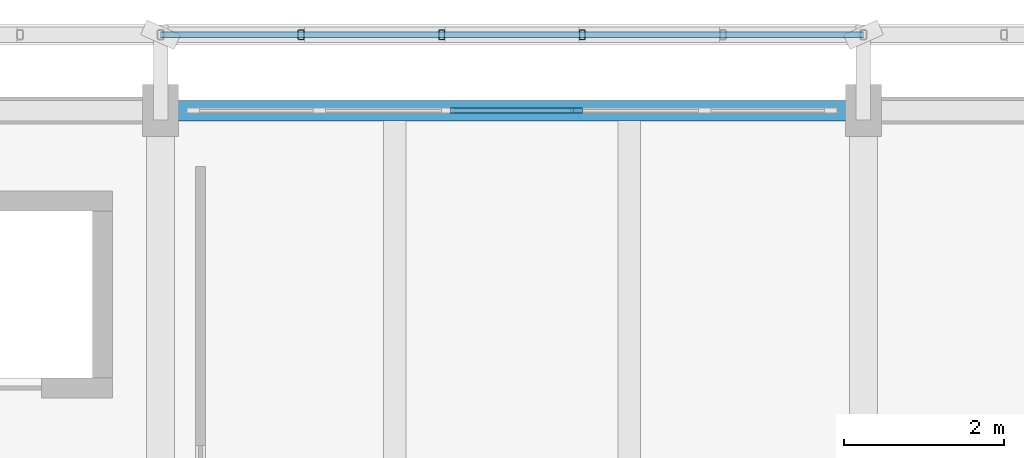
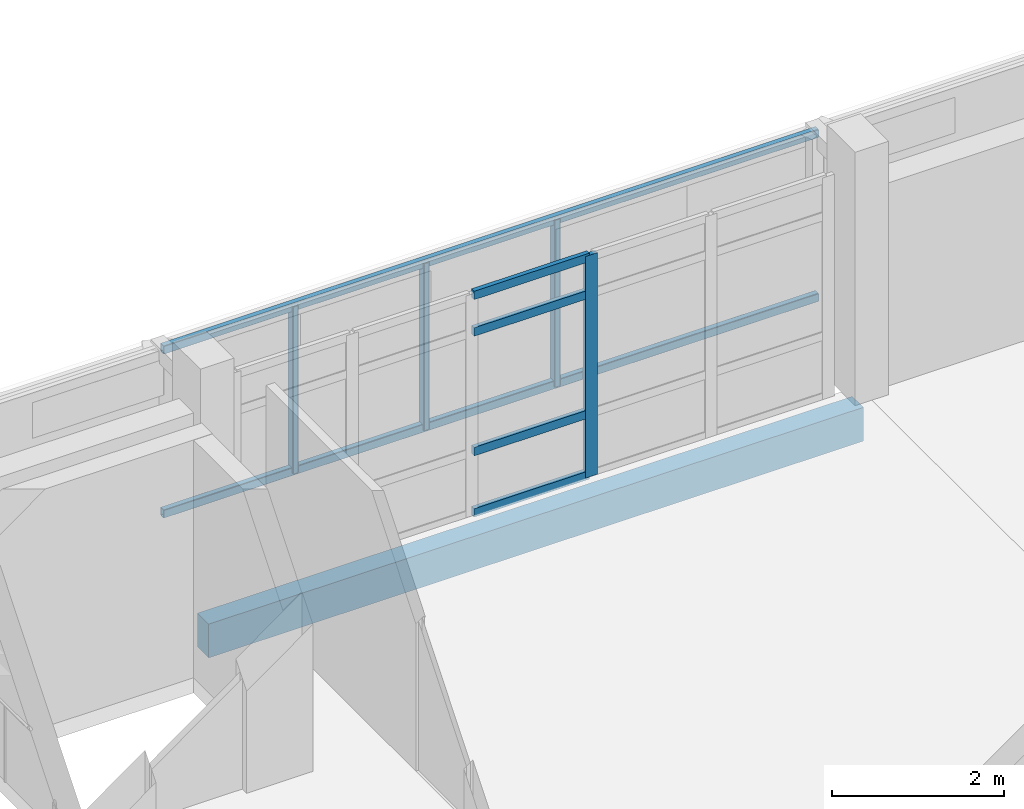
# One storey, part 12 of 30: 10 members, 1 beam, 1 element without a shape of its own.
"""IFC4 building model written with IfcOpenShell, lengths in metres."""

from ifc_helpers import new_model, si_unit, direction, frame, origin, origin_2d, place, context, subcontext, project, spatial, rectangle, hollow_rectangle, extrude, material, material_profile, profile_set, type_object, element, aggregate, save


model = new_model("IFC4")

# Units and contexts
model_context = context("Model", 3, precision=1e-05, world=origin(), true_north=direction((0.0, 1.0)))
body_context = subcontext(model_context, "Body", "Model", "MODEL_VIEW")
ifc_project = project(units=[si_unit("LENGTHUNIT", "METRE"), si_unit("AREAUNIT", "SQUARE_METRE"), si_unit("VOLUMEUNIT", "CUBIC_METRE"), si_unit("PLANEANGLEUNIT", "RADIAN"), si_unit("MASSUNIT", "GRAM", prefix="KILO")], contexts=[model_context])

# Site, building, storey
site_placement = place(None, origin())
site = spatial("IfcSite", under=ifc_project, at=site_placement, CompositionType="ELEMENT")
building_placement = place(site_placement, origin())
building = spatial("IfcBuilding", under=site, at=building_placement, Name="Cinderway Yard Community Centre", CompositionType="ELEMENT")
storey_placement = place(building_placement, frame((0.0, 0.0, 16.5)))
storey = spatial("IfcBuildingStorey", under=building, at=storey_placement, Name="L04", CompositionType="ELEMENT", Elevation=16.5)

# Curtain wall, members
ifc_material_1 = material(Name="Aluminium 6063-T6", Category="aluminium")
curtain_wall_type = type_object("IfcCurtainWallType", Name="ENV-CW-TYPE-33", PredefinedType="USERDEFINED", material=ifc_material_1)
curtain_wall_placement = place(storey_placement, origin())
curtain_wall = element("IfcCurtainWall", 1, at=curtain_wall_placement, inside=storey, type_object=curtain_wall_type, Name="V4 Street Curtain Wall ENV-CW-L04-ST-0181", ObjectType="GLAZED CURTAIN WALL", PredefinedType="USERDEFINED")
ifc_material_profile_1 = material_profile(ifc_material_1, rectangle(XDim=0.06005859375, YDim=0.159912109375, at=origin_2d()), Name="Aluminium 6063-T6")
ifc_profile_set_1 = profile_set([ifc_material_profile_1], Name="Aluminium 6063-T6")
member_type_1 = type_object("IfcMemberType", Name="ENV-CW-MULL-150", PredefinedType="MULLION", material=ifc_profile_set_1)
member_1_placement = place(storey_placement, frame((89.2041015625, 115.199951171875, 0.0), z_axis=(0.0, 0.0, 1.0), x_axis=(0.0, 1.0, 0.0)))
member_1 = element("IfcMember", 2, at=member_1_placement, type_object=member_type_1, Name="CW-33 mullion 4", PredefinedType="MULLION", context=body_context, shape_type="SweptSolid", body=[
    extrude(rectangle(XDim=0.06005859375, YDim=0.159912109375, at=origin_2d()), origin(), (0.0, 0.0, 1.0), 3.14990234375),
])
ifc_material_profile_2 = material_profile(ifc_material_1, rectangle(XDim=0.06005859375, YDim=0.1201171875, at=origin_2d()), Name="Aluminium 6063-T6")
ifc_profile_set_2 = profile_set([ifc_material_profile_2], Name="Aluminium 6063-T6")
member_type_2 = type_object("IfcMemberType", Name="ENV-CW-TRAN-110", PredefinedType="USERDEFINED", material=ifc_profile_set_2)
member_2_placement = place(storey_placement, frame((87.6259765625, 115.199951171875, 0.030029296875), z_axis=(1.0, 0.0, 0.0), x_axis=(0.0, 1.0, 0.0)))
member_2 = element("IfcMember", 3, at=member_2_placement, type_object=member_type_2, Name="CW-33 transom 3.1", ObjectType="TRANSOM", PredefinedType="USERDEFINED", context=body_context, shape_type="SweptSolid", body=[
    extrude(rectangle(XDim=0.06005859375, YDim=0.1201171875, at=origin_2d()), origin(), (0.0, 0.0, 1.0), 1.548095703125),
])
member_3_placement = place(storey_placement, frame((87.6259765625, 115.199951171875, 0.89990234375), z_axis=(1.0, 0.0, 0.0), x_axis=(0.0, 1.0, 0.0)))
member_3 = element("IfcMember", 4, at=member_3_placement, type_object=member_type_2, Name="CW-33 transom 3.2", ObjectType="TRANSOM", PredefinedType="USERDEFINED", context=body_context, shape_type="SweptSolid", body=[
    extrude(rectangle(XDim=0.06005859375, YDim=0.1201171875, at=origin_2d()), origin(), (0.0, 0.0, 1.0), 1.548095703125),
])
member_4_placement = place(storey_placement, frame((87.6259765625, 115.199951171875, 2.60009765625), z_axis=(1.0, 0.0, 0.0), x_axis=(0.0, 1.0, 0.0)))
member_4 = element("IfcMember", 5, at=member_4_placement, type_object=member_type_2, Name="CW-33 transom 3.3", ObjectType="TRANSOM", PredefinedType="USERDEFINED", context=body_context, shape_type="SweptSolid", body=[
    extrude(rectangle(XDim=0.06005859375, YDim=0.1201171875, at=origin_2d()), origin(), (0.0, 0.0, 1.0), 1.548095703125),
])
member_5_placement = place(storey_placement, frame((87.6259765625, 115.199951171875, 3.1201171875), z_axis=(1.0, 0.0, 0.0), x_axis=(0.0, 1.0, 0.0)))
member_5 = element("IfcMember", 6, at=member_5_placement, type_object=member_type_2, Name="CW-33 transom 3.4", ObjectType="TRANSOM", PredefinedType="USERDEFINED", context=body_context, shape_type="SweptSolid", body=[
    extrude(rectangle(XDim=0.06005859375, YDim=0.1201171875, at=origin_2d()), origin(), (0.0, 0.0, 1.0), 1.548095703125),
])
aggregate(curtain_wall, [member_1, member_2, member_3, member_4, member_5])

# Members
ifc_material_2 = material(Name="Steel S355", Category="steel")
ifc_material_profile_3 = material_profile(ifc_material_2, hollow_rectangle(XDim=0.080078125, YDim=0.1201171875, WallThickness=0.00634765625, InnerFilletRadius=0.00634765625, OuterFilletRadius=0.0126953125, at=origin_2d()), Name="Steel S355")
ifc_profile_set_3 = profile_set([ifc_material_profile_3], Name="Steel S355")
member_type_3 = type_object("IfcMemberType", Name="ENV-MEM-SCREEN-RAIL-120", PredefinedType="STRINGER", material=ifc_profile_set_3)
for number, where, z_axis, x_axis, name in (
    (7, (84.0, 116.14990234375, 0.7099609375), (1.0, 0.0, 0.0), (0.0, 1.0, 0.0), "Screen support rail 0285-BOT"),
    (8, (84.0, 116.14990234375, 3.0400390625), (1.0, 0.0, 0.0), (0.0, 1.0, 0.0), "Screen support rail 0286-TOP"),
):
    element("IfcMember", number, at=place(storey_placement, frame(where, z_axis=z_axis, x_axis=x_axis)), inside=storey, type_object=member_type_3, Name=name, PredefinedType="STRINGER", context=body_context, shape_type="SweptSolid", body=[
        extrude(hollow_rectangle(XDim=0.080078125, YDim=0.1201171875, WallThickness=0.00634765625, InnerFilletRadius=0.00634765625, OuterFilletRadius=0.0126953125, at=origin_2d()), origin(), (0.0, 0.0, 1.0), 8.800048828125),
    ])
for number, where, z_axis, x_axis, name in (
    (9, (85.760009765625, 116.14990234375, 0.68994140625), (0.0, 0.0, 1.0), (1.0, 0.0, 0.0), "Screen vertical mullion 0287"),
    (10, (87.52001953125, 116.14990234375, 0.68994140625), (0.0, 0.0, 1.0), (1.0, 0.0, 0.0), "Screen vertical mullion 0288"),
    (11, (89.280029296875, 116.14990234375, 0.68994140625), (0.0, 0.0, 1.0), (1.0, 0.0, 0.0), "Screen vertical mullion 0289"),
):
    element("IfcMember", number, at=place(storey_placement, frame(where, z_axis=z_axis, x_axis=x_axis)), inside=storey, type_object=member_type_3, Name=name, PredefinedType="STRINGER", context=body_context, shape_type="SweptSolid", body=[
        extrude(hollow_rectangle(XDim=0.080078125, YDim=0.1201171875, WallThickness=0.00634765625, InnerFilletRadius=0.00634765625, OuterFilletRadius=0.0126953125, at=origin_2d()), origin(), (0.0, 0.0, 1.0), 2.3701171875),
    ])

# Beam
ifc_material_3 = material(Name="Concrete C40/50", Category="concrete")
ifc_material_profile_4 = material_profile(ifc_material_3, rectangle(XDim=0.260009765625, YDim=0.47998046875, at=origin_2d()), Name="Concrete C40/50")
ifc_profile_set_4 = profile_set([ifc_material_profile_4], Name="Concrete C40/50")
beam_type = type_object("IfcBeamType", Name="STR-BM-RC260X480", PredefinedType="SPANDREL", material=ifc_profile_set_4)
beam_placement = place(storey_placement, frame((84.0, 115.199951171875, -0.4599609375), z_axis=(1.0, 0.0, 0.0), x_axis=(0.0, 1.0, 0.0)))
element("IfcBeam", 12, at=beam_placement, inside=storey, type_object=beam_type, Name="Primary girder STR-BM-L04-SP01-0837", PredefinedType="SPANDREL", context=body_context, shape_type="SweptSolid", body=[
    extrude(rectangle(XDim=0.260009765625, YDim=0.47998046875, at=origin_2d()), origin(), (0.0, 0.0, 1.0), 8.800048828125),
])

save(model, "model.ifc")
